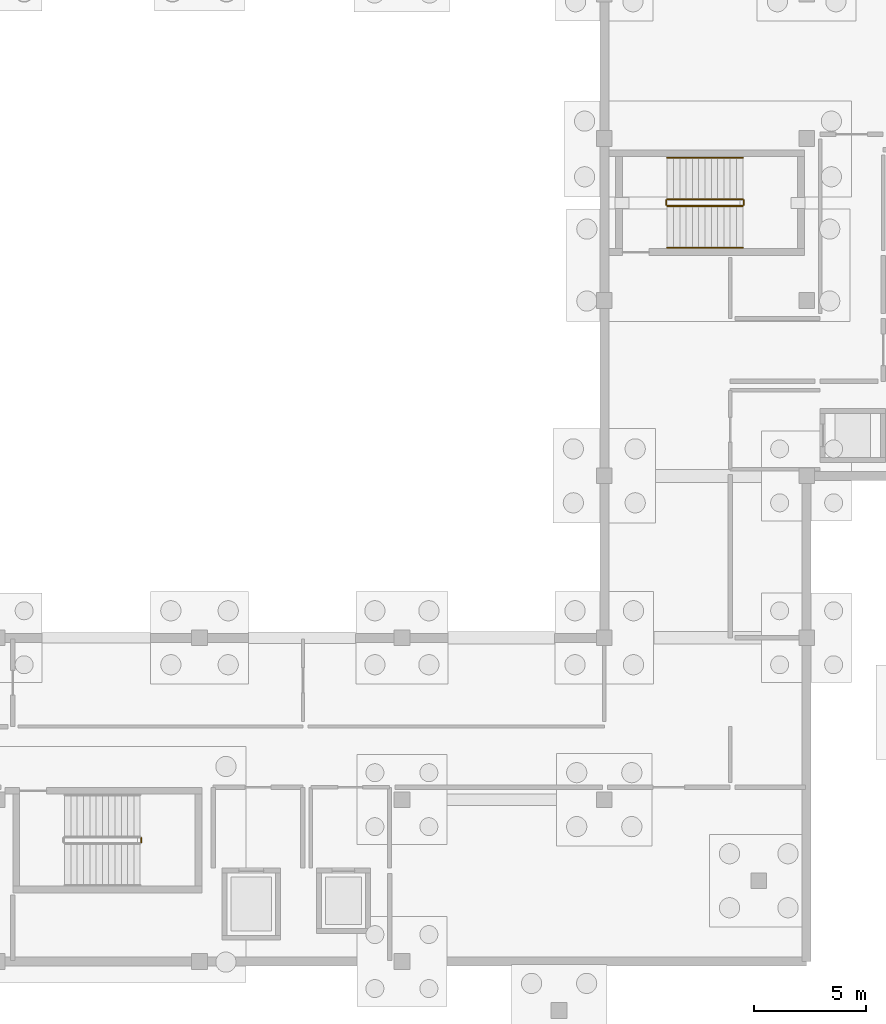
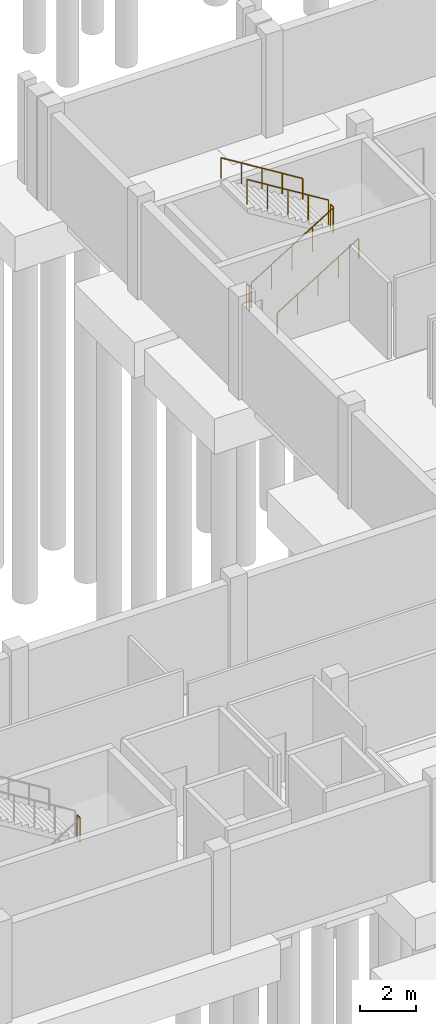
# One storey, part 33 of 36: 7 railings.
"""IFC4 building model written with IfcOpenShell, lengths in metres."""

import ifcopenshell
import ifcopenshell.guid

model = None  # the IFC model being written
_history = None  # IfcOwnerHistory: only IFC2X3 demands one
_inside = {}  # id of a spatial element -> (the spatial element, [elements in it])
_under = {}  # id of a project, library or spatial element -> (it, [spatial elements below it])
_declared = {}  # id of a project -> (the project, [libraries it declares])
_typed = {}  # id of a type object -> (the type object, [elements of that type])
_made_of = {}  # id of a material, layer set ... -> (it, [elements and type objects made of it])


def new_model(schema):
    """Start an empty IFC model of exactly this schema.

    Asked for "IFC4X3", IfcOpenShell would pick the latest addendum, in which some entities
    have other attributes; the version numbers below select the first issue.
    IFC2X3 requires an IfcOwnerHistory on every rooted entity: one is made here for all.
    """
    global model, _history
    if schema == "IFC4X3":
        model = ifcopenshell.file(schema_version=(4, 3, 0, 0))
    else:
        model = ifcopenshell.file(schema=schema)
    _inside.clear()
    _under.clear()
    _declared.clear()
    _typed.clear()
    _made_of.clear()
    _history = None
    if model.schema == "IFC2X3":
        org = make("IfcOrganization", Name="unknown")
        user = make(
            "IfcPersonAndOrganization",
            ThePerson=make("IfcPerson", FamilyName="unknown"),
            TheOrganization=org,
        )
        app = make(
            "IfcApplication",
            ApplicationDeveloper=org,
            Version="unknown",
            ApplicationFullName="unknown",
            ApplicationIdentifier="unknown",
        )
        _history = make(
            "IfcOwnerHistory",
            OwningUser=user,
            OwningApplication=app,
            ChangeAction="ADDED",
            CreationDate=0,
        )
    return model


def make(cls, **values):
    """One entity of the class cls with the attributes given. An attribute that is None is left unset."""
    return model.create_entity(
        cls, **{name: value for name, value in values.items() if value is not None}
    )


def rooted(cls, **values):
    """An entity with a GlobalId (a new one), such as an element, a storey or a relation."""
    return make(cls, GlobalId=ifcopenshell.guid.new(), OwnerHistory=_history, **values)


def si_unit(unit_type, name, prefix=None):
    """IfcSIUnit, for example si_unit("LENGTHUNIT", "METRE", prefix="MILLI")."""
    return make("IfcSIUnit", UnitType=unit_type, Prefix=prefix, Name=name)


def assignment(units):
    """IfcUnitAssignment: the units of a project."""
    return None if units is None else make("IfcUnitAssignment", Units=units)


def point(xyz):
    """IfcCartesianPoint."""
    return None if xyz is None else make("IfcCartesianPoint", Coordinates=xyz)


def direction(xyz):
    """IfcDirection."""
    return None if xyz is None else make("IfcDirection", DirectionRatios=xyz)


def frame(location, z_axis=None, x_axis=None):
    """IfcAxis2Placement3D, a coordinate frame: its origin and axes. An axis left out is left unset."""
    return make(
        "IfcAxis2Placement3D",
        Location=point(location),
        Axis=direction(z_axis),
        RefDirection=direction(x_axis),
    )


def frame_2d(location, x_axis=None):
    """IfcAxis2Placement2D, a coordinate frame in the plane: its origin and x axis."""
    return make(
        "IfcAxis2Placement2D", Location=point(location), RefDirection=direction(x_axis)
    )


def origin():
    """The frame at (0, 0, 0) with its axes left unset."""
    return frame((0.0, 0.0, 0.0))


def origin_2d():
    """The frame at (0, 0) in the plane with its x axis left unset."""
    return frame_2d((0.0, 0.0))


def place(relative_to, where):
    """IfcLocalPlacement: puts the frame where relative to a parent placement (None: the world)."""
    return make(
        "IfcLocalPlacement", PlacementRelTo=relative_to, RelativePlacement=where
    )


def context(
    kind, dimensions, precision=None, world=None, true_north=None, identifier=None
):
    """IfcGeometricRepresentationContext, for example the 3D "Model" context."""
    return make(
        "IfcGeometricRepresentationContext",
        ContextIdentifier=identifier,
        ContextType=kind,
        CoordinateSpaceDimension=dimensions,
        Precision=precision,
        WorldCoordinateSystem=world,
        TrueNorth=true_north,
    )


def subcontext(parent, identifier, kind, view, scale=None):
    """IfcGeometricRepresentationSubContext, for example "Body" below "Model"."""
    return make(
        "IfcGeometricRepresentationSubContext",
        ContextIdentifier=identifier,
        ContextType=kind,
        ParentContext=parent,
        TargetScale=scale,
        TargetView=view,
    )


def project(units=None, contexts=None):
    """IfcProject with its units and contexts."""
    return rooted(
        "IfcProject",
        Name="project",
        RepresentationContexts=contexts,
        UnitsInContext=assignment(units),
    )


def spatial(cls, under=None, at=None, **own):
    """A site, building, storey or space (cls), placed at a placement, below another one or the project."""
    s = rooted(cls, ObjectPlacement=at, **own)
    if under is not None:
        _under.setdefault(under.id(), (under, []))[1].append(s)
    return s


def profile(cls, at=None, kind="AREA", **sizes):
    """A parametric profile (cls). Its sizes go by their IFC names, for example OverallWidth=200.0."""
    return make(cls, ProfileType=kind, Position=at, **sizes)


def circle(**sizes):
    """IfcCircleProfileDef."""
    return profile("IfcCircleProfileDef", **sizes)


def extrude(swept, where, along, depth):
    """IfcExtrudedAreaSolid: the profile swept, set in the frame where, extruded along a direction by depth."""
    return make(
        "IfcExtrudedAreaSolid",
        SweptArea=swept,
        Position=where,
        ExtrudedDirection=direction(along),
        Depth=depth,
    )


def shape(context_of_items, identifier, shape_type, items):
    """IfcShapeRepresentation: the items that make up one representation, for example the "Body"."""
    return make(
        "IfcShapeRepresentation",
        ContextOfItems=context_of_items,
        RepresentationIdentifier=identifier,
        RepresentationType=shape_type,
        Items=items,
    )


def material(Name=None, Category=None):
    """IfcMaterial."""
    return make("IfcMaterial", Name=Name, Category=Category)


def layer(
    of_material, thickness, ventilated=None, Name=None, Category=None, Priority=None
):
    """IfcMaterialLayer: one layer of a wall or slab, of a material (None: an air gap)."""
    return make(
        "IfcMaterialLayer",
        Material=of_material,
        LayerThickness=thickness,
        IsVentilated=ventilated,
        Name=Name,
        Category=Category,
        Priority=Priority,
    )


def layer_set(layers, Name=None):
    """IfcMaterialLayerSet."""
    return make("IfcMaterialLayerSet", MaterialLayers=layers, LayerSetName=Name)


def made_of(thing, what):
    """Note that an element or type object is made of a material, layer set ...; save() writes the relation."""
    if what is not None:
        _made_of.setdefault(what.id(), (what, []))[1].append(thing)
    return thing


def type_object(cls, material=None, **own):
    """A type object (cls), such as IfcWallType, which elements share."""
    return made_of(rooted(cls, **own), material)


def element(
    cls,
    number,
    at=None,
    inside=None,
    cuts=None,
    type_object=None,
    material=None,
    context=None,
    identifier="Body",
    shape_type=None,
    held_by="IfcProductDefinitionShape",
    body=None,
    shapes=None,
    **own,
):
    """One element of the class cls, such as IfcWall. Its Tag is "e" and its number.

    at: its placement. inside: the storey or other place that contains it. cuts: it is an
    opening in that element (IfcRelVoidsElement). A single representation is given by context,
    identifier, shape_type and body (its items); several are given by shapes. held_by: the class
    of the entity that holds the representations. save() writes the other relations.
    """
    e = rooted(cls, Tag="e%d" % number, ObjectPlacement=at, **own)
    if body is not None:
        shapes = [shape(context, identifier, shape_type, body)]
    if shapes is not None:
        e.Representation = make(held_by, Representations=shapes)
    if inside is not None:
        _inside.setdefault(inside.id(), (inside, []))[1].append(e)
    if cuts is not None:
        rooted(
            "IfcRelVoidsElement", RelatingBuildingElement=cuts, RelatedOpeningElement=e
        )
    if type_object is not None:
        _typed.setdefault(type_object.id(), (type_object, []))[1].append(e)
    return made_of(e, material)


def aggregate(whole, parts):
    """IfcRelAggregates: a whole, such as a stair, and the parts it consists of."""
    return rooted("IfcRelAggregates", RelatingObject=whole, RelatedObjects=parts)


def save(model, path):
    """Write the relations noted so far, then the file.

    IfcRelAggregates (storeys below a building ...), IfcRelContainedInSpatialStructure (elements
    in a storey), IfcRelDefinesByType, IfcRelAssociatesMaterial and IfcRelDeclares: one each for
    every whole, place, type object, material and project.
    """
    for whole, parts in _under.values():
        aggregate(whole, parts)
    for where, things in _inside.values():
        rooted(
            "IfcRelContainedInSpatialStructure",
            RelatedElements=things,
            RelatingStructure=where,
        )
    for kind, things in _typed.values():
        rooted("IfcRelDefinesByType", RelatedObjects=things, RelatingType=kind)
    for what, things in _made_of.values():
        rooted("IfcRelAssociatesMaterial", RelatedObjects=things, RelatingMaterial=what)
    for by, libraries in _declared.values():
        rooted("IfcRelDeclares", RelatingContext=by, RelatedDefinitions=libraries)
    model.write(path)


model = new_model("IFC4")

# Units and contexts
model_context = context("Model", 3, precision=1e-05, world=origin(), true_north=direction((0.0, 1.0)))
body_context = subcontext(model_context, "Body", "Model", "MODEL_VIEW")
ifc_project = project(units=[si_unit("LENGTHUNIT", "METRE"), si_unit("AREAUNIT", "SQUARE_METRE"), si_unit("VOLUMEUNIT", "CUBIC_METRE"), si_unit("PLANEANGLEUNIT", "RADIAN"), si_unit("MASSUNIT", "GRAM", prefix="KILO")], contexts=[model_context])

# Site, building, storey
site_placement = place(None, origin())
site = spatial("IfcSite", under=ifc_project, at=site_placement, CompositionType="ELEMENT")
building_placement = place(site_placement, origin())
building = spatial("IfcBuilding", under=site, at=building_placement, Name="Chiffa Square Polytechnic", CompositionType="ELEMENT")
storey_placement = place(building_placement, frame((0.0, 0.0, -4.5)))
storey = spatial("IfcBuildingStorey", under=building, at=storey_placement, Name="B1", CompositionType="ELEMENT", Elevation=-4.5)

# Railings
ifc_material = material(Name="Steel S355", Category="steel")
ifc_layer_1 = layer(ifc_material, 0.050048828125, Name="Steel S355")
ifc_layer_set_1 = layer_set([ifc_layer_1], Name="Steel S355")
railing_type_1 = type_object("IfcRailingType", Name="RL-STAIR-GUARD", PredefinedType="GUARDRAIL", material=ifc_layer_set_1)
railing_1_placement = place(storey_placement, frame((127.610107421875, 19.699951171875, 2.25)))
element("IfcRailing", 1, at=railing_1_placement, inside=storey, type_object=railing_type_1, Name="B1 ST-V1A stair guard 2", PredefinedType="GUARDRAIL", context=body_context, shape_type="SweptSolid", body=[
    extrude(circle(Radius=0.02392578125, at=origin_2d()), frame((0.0, 0.0, 1.076171875), z_axis=(0.0, 1.0, 0.0), x_axis=(-1.0, 0.0, 0.0)), (0.0, 0.0, 1.0), 0.199951171875),
    extrude(circle(Radius=0.02099609375, at=origin_2d()), origin(), (0.0, 0.0, 1.0), 1.052001953125),
    extrude(circle(Radius=0.02099609375, at=origin_2d()), frame((0.0, 0.199951171875, 0.0)), (0.0, 0.0, 1.0), 1.052001953125),
])
railing_2_placement = place(storey_placement, frame((151.0, 48.0, 0.173095703125)))
element("IfcRailing", 2, at=railing_2_placement, inside=storey, type_object=railing_type_1, Name="B1 ST-V1B stair guard 1", PredefinedType="GUARDRAIL", context=body_context, shape_type="SweptSolid", body=[
    extrude(circle(Radius=0.02392578125, at=origin_2d()), frame((0.0, 0.0, 1.076171875), z_axis=(0.850623216509, 0.0, 0.525775754039), x_axis=(0.0, 1.0, 0.0)), (0.0, 0.0, 1.0), 3.9501953125),
    extrude(circle(Radius=0.02099609375, at=origin_2d()), origin(), (0.0, 0.0, 1.0), 1.052001953125),
    extrude(circle(Radius=0.02099609375, at=origin_2d()), frame((0.840087890625, 0.0, 0.519287109375)), (0.0, 0.0, 1.0), 1.052001953125),
    extrude(circle(Radius=0.02099609375, at=origin_2d()), frame((1.68017578125, 0.0, 1.03857421875)), (0.0, 0.0, 1.0), 1.052001953125),
    extrude(circle(Radius=0.02099609375, at=origin_2d()), frame((2.52001953125, 0.0, 1.5576171875)), (0.0, 0.0, 1.0), 1.052001953125),
    extrude(circle(Radius=0.02099609375, at=origin_2d()), frame((3.360107421875, 0.0, 2.076904296875)), (0.0, 0.0, 1.0), 1.052001953125),
])
railing_3_placement = place(storey_placement, frame((154.409912109375, 48.050048828125, 2.25)))
element("IfcRailing", 3, at=railing_3_placement, inside=storey, type_object=railing_type_1, Name="B1 ST-V1B stair guard 2", PredefinedType="GUARDRAIL", context=body_context, shape_type="SweptSolid", body=[
    extrude(circle(Radius=0.02392578125, at=origin_2d()), frame((0.0, 0.0, 1.076171875), z_axis=(0.0, 1.0, 0.0), x_axis=(-1.0, 0.0, 0.0)), (0.0, 0.0, 1.0), 0.199951171875),
    extrude(circle(Radius=0.02099609375, at=origin_2d()), origin(), (0.0, 0.0, 1.0), 1.052001953125),
    extrude(circle(Radius=0.02099609375, at=origin_2d()), frame((0.0, 0.199951171875, 0.0)), (0.0, 0.0, 1.0), 1.052001953125),
])
railing_4_placement = place(storey_placement, frame((154.360107421875, 48.300048828125, 2.423095703125)))
element("IfcRailing", 4, at=railing_4_placement, inside=storey, type_object=railing_type_1, Name="B1 ST-V1B stair guard 3", PredefinedType="GUARDRAIL", context=body_context, shape_type="SweptSolid", body=[
    extrude(circle(Radius=0.02392578125, at=origin_2d()), frame((0.0, 0.0, 1.076171875), z_axis=(-0.850623216509, 0.0, 0.525775754039), x_axis=(0.0, -1.0, 0.0)), (0.0, 0.0, 1.0), 3.9501953125),
    extrude(circle(Radius=0.02099609375, at=origin_2d()), origin(), (0.0, 0.0, 1.0), 1.052001953125),
    extrude(circle(Radius=0.02099609375, at=origin_2d()), frame((-0.840087890625, 0.0, 0.519287109375)), (0.0, 0.0, 1.0), 1.052001953125),
    extrude(circle(Radius=0.02099609375, at=origin_2d()), frame((-1.68017578125, 0.0, 1.03857421875)), (0.0, 0.0, 1.0), 1.052001953125),
    extrude(circle(Radius=0.02099609375, at=origin_2d()), frame((-2.52001953125, 0.0, 1.5576171875)), (0.0, 0.0, 1.0), 1.052001953125),
    extrude(circle(Radius=0.02099609375, at=origin_2d()), frame((-3.360107421875, 0.0, 2.076904296875)), (0.0, 0.0, 1.0), 1.052001953125),
])
railing_5_placement = place(storey_placement, frame((150.949951171875, 48.050048828125, 0.0)))
element("IfcRailing", 5, at=railing_5_placement, inside=storey, type_object=railing_type_1, Name="B1 ST-V1B stair guard 4", PredefinedType="GUARDRAIL", context=body_context, shape_type="SweptSolid", body=[
    extrude(circle(Radius=0.02392578125, at=origin_2d()), frame((0.0, 0.0, 1.076171875), z_axis=(0.0, 1.0, 0.0), x_axis=(-1.0, 0.0, 0.0)), (0.0, 0.0, 1.0), 0.199951171875),
    extrude(circle(Radius=0.02099609375, at=origin_2d()), origin(), (0.0, 0.0, 1.0), 1.052001953125),
    extrude(circle(Radius=0.02099609375, at=origin_2d()), frame((0.0, 0.199951171875, 0.0)), (0.0, 0.0, 1.0), 1.052001953125),
])
ifc_layer_2 = layer(ifc_material, 0.044921875, Name="Steel S355")
ifc_layer_set_2 = layer_set([ifc_layer_2], Name="Steel S355")
railing_type_2 = type_object("IfcRailingType", Name="RL-STAIR-HAND", PredefinedType="HANDRAIL", material=ifc_layer_set_2)
railing_6_placement = place(storey_placement, frame((151.0, 46.14990234375, 0.173095703125)))
element("IfcRailing", 6, at=railing_6_placement, inside=storey, type_object=railing_type_2, Name="B1 ST-V1B stair handrail 1", PredefinedType="HANDRAIL", context=body_context, shape_type="SweptSolid", body=[
    extrude(circle(Radius=0.02392578125, at=origin_2d()), frame((0.0, 0.0, 0.89599609375), z_axis=(0.850623216509, 0.0, 0.525775754039), x_axis=(0.0, 1.0, 0.0)), (0.0, 0.0, 1.0), 3.9501953125),
    extrude(circle(Radius=0.02099609375, at=origin_2d()), origin(), (0.0, 0.0, 1.0), 0.871826171875),
    extrude(circle(Radius=0.02099609375, at=origin_2d()), frame((0.840087890625, 0.0, 0.519287109375)), (0.0, 0.0, 1.0), 0.871826171875),
    extrude(circle(Radius=0.02099609375, at=origin_2d()), frame((1.68017578125, 0.0, 1.03857421875)), (0.0, 0.0, 1.0), 0.871826171875),
    extrude(circle(Radius=0.02099609375, at=origin_2d()), frame((2.52001953125, 0.0, 1.5576171875)), (0.0, 0.0, 1.0), 0.871826171875),
    extrude(circle(Radius=0.02099609375, at=origin_2d()), frame((3.360107421875, 0.0, 2.076904296875)), (0.0, 0.0, 1.0), 0.871826171875),
])
railing_7_placement = place(storey_placement, frame((154.360107421875, 50.14990234375, 2.423095703125)))
element("IfcRailing", 7, at=railing_7_placement, inside=storey, type_object=railing_type_2, Name="B1 ST-V1B stair handrail 2", PredefinedType="HANDRAIL", context=body_context, shape_type="SweptSolid", body=[
    extrude(circle(Radius=0.02392578125, at=origin_2d()), frame((0.0, 0.0, 0.89599609375), z_axis=(-0.850623216509, 0.0, 0.525775754039), x_axis=(0.0, -1.0, 0.0)), (0.0, 0.0, 1.0), 3.9501953125),
    extrude(circle(Radius=0.02099609375, at=origin_2d()), origin(), (0.0, 0.0, 1.0), 0.871826171875),
    extrude(circle(Radius=0.02099609375, at=origin_2d()), frame((-0.840087890625, 0.0, 0.519287109375)), (0.0, 0.0, 1.0), 0.871826171875),
    extrude(circle(Radius=0.02099609375, at=origin_2d()), frame((-1.68017578125, 0.0, 1.03857421875)), (0.0, 0.0, 1.0), 0.871826171875),
    extrude(circle(Radius=0.02099609375, at=origin_2d()), frame((-2.52001953125, 0.0, 1.5576171875)), (0.0, 0.0, 1.0), 0.871826171875),
    extrude(circle(Radius=0.02099609375, at=origin_2d()), frame((-3.360107421875, 0.0, 2.076904296875)), (0.0, 0.0, 1.0), 0.871826171875),
])

save(model, "model.ifc")
